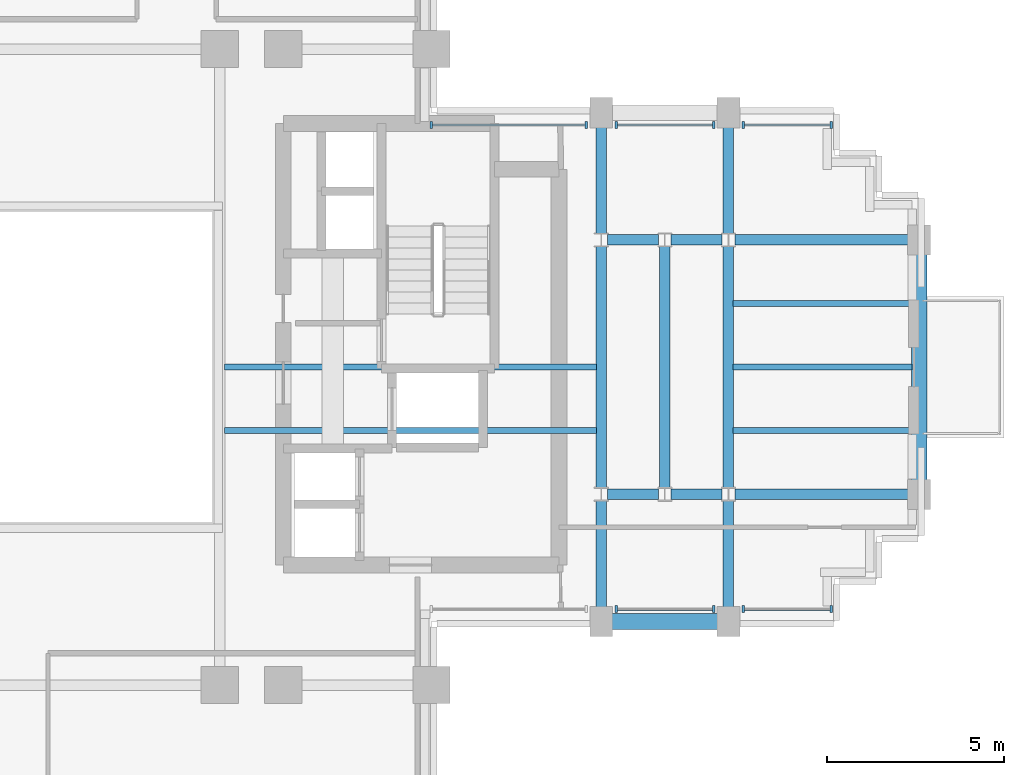
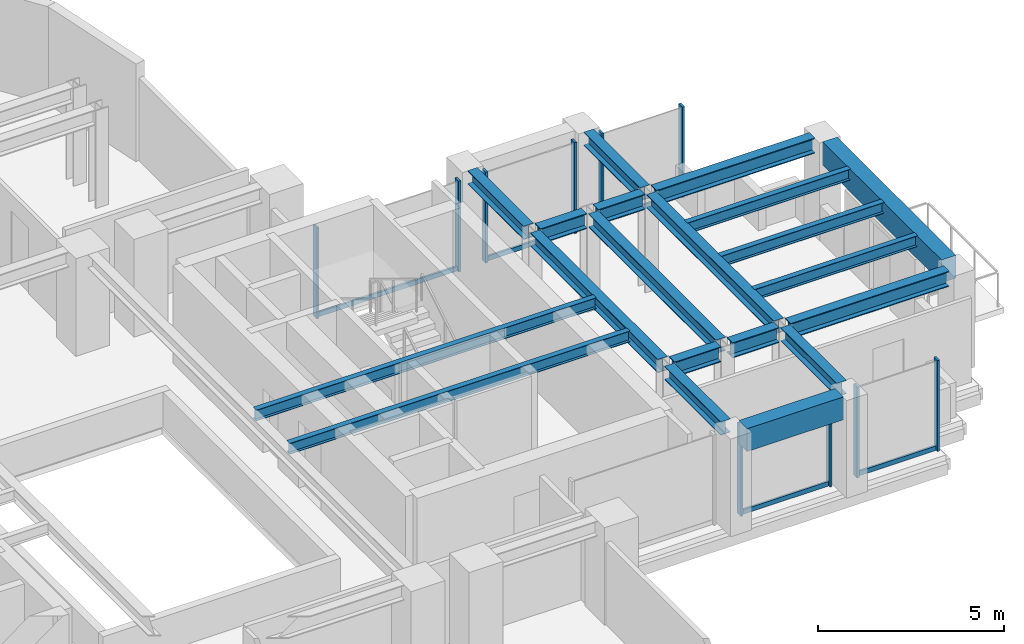
# One storey, part 5 of 13: 20 beams, 15 members, 5 elements without a shape of their own.
"""IFC4 building model written with IfcOpenShell, lengths in metres."""

from ifc_helpers import new_model, si_unit, direction, frame, origin, origin_2d, place, context, subcontext, project, spatial, rectangle, i_section, extrude, source, transform, mapped, material, material_profile, profile_set, type_object, element, aggregate, save


model = new_model("IFC4")

# Units and contexts
model_context = context("Model", 3, precision=1e-05, world=origin(), true_north=direction((0.0, 1.0)))
body_context = subcontext(model_context, "Body", "Model", "MODEL_VIEW")
ifc_project = project(units=[si_unit("LENGTHUNIT", "METRE"), si_unit("AREAUNIT", "SQUARE_METRE"), si_unit("VOLUMEUNIT", "CUBIC_METRE"), si_unit("PLANEANGLEUNIT", "RADIAN"), si_unit("MASSUNIT", "GRAM", prefix="KILO")], contexts=[model_context])

# Site, building, storey
site_placement = place(None, origin())
site = spatial("IfcSite", under=ifc_project, at=site_placement, CompositionType="ELEMENT")
building_placement = place(site_placement, origin())
building = spatial("IfcBuilding", under=site, at=building_placement, Name="Keilestroom Media Tower", CompositionType="ELEMENT")
storey_placement = place(building_placement, frame((0.0, 0.0, 104.0)))
storey = spatial("IfcBuildingStorey", under=building, at=storey_placement, Name="L27", CompositionType="ELEMENT", Elevation=104.0)

# Beams
ifc_material_1 = material(Name="Steel S355", Category="steel")
ifc_material_profile_1 = material_profile(ifc_material_1, i_section(OverallWidth=0.169921875, OverallDepth=0.360107421875, WebThickness=0.008056640625, FlangeThickness=0.0126953125, at=origin_2d()), Name="IPE 360")
ifc_profile_set_1 = profile_set([ifc_material_profile_1], Name="Steel S355")
beam_type_1 = type_object("IfcBeamType", Name="Secondary-Floor-Joist-IPE-360", PredefinedType="JOIST", material=ifc_profile_set_1)
shared_shape_1 = source(origin(), body_context, "Body", "SweptSolid", [
    extrude(i_section(OverallWidth=0.169921875, OverallDepth=0.360107421875, WebThickness=0.008056640625, FlangeThickness=0.0126953125, at=origin_2d()), origin(), (0.0, 0.0, 1.0), 10.5400390625),
])
for number, where, z_axis, x_axis, name in (
    (1, (3.72998046875, -1.800048828125, 3.02001953125), (1.0, 0.0, 0.0), (0.0, 1.0, 0.0), "L27 Beam BJ-5 JST-L27-074"),
    (2, (3.72998046875, 0.0, 3.02001953125), (1.0, 0.0, 0.0), (0.0, 1.0, 0.0), "L27 Beam BJ-5 JST-L27-079"),
):
    element("IfcBeam", number, at=place(storey_placement, frame(where, z_axis=z_axis, x_axis=x_axis)), inside=storey, type_object=beam_type_1, Name=name, PredefinedType="JOIST", context=body_context, shape_type="MappedRepresentation", body=[
        mapped(shared_shape_1, transform((0.0, 0.0, 0.0), x_axis=(1.0, 0.0, 0.0), y_axis=(0.0, 1.0, 0.0), z_axis=(0.0, 0.0, 1.0), scale=1.0)),
    ])
ifc_material_2 = material(Name="Precast concrete C40/50", Category="concrete")
ifc_material_profile_2 = material_profile(ifc_material_2, rectangle(XDim=0.449951171875, YDim=0.75, at=origin_2d()), Name="PC 450x750")
ifc_profile_set_2 = profile_set([ifc_material_profile_2], Name="Precast concrete C40/50")
beam_type_2 = type_object("IfcBeamType", Name="Perimeter-Spandrel-Beam-PC-450x750", PredefinedType="SPANDREL", material=ifc_profile_set_2)
shared_shape_2 = source(origin(), body_context, "Body", "SweptSolid", [
    extrude(rectangle(XDim=0.449951171875, YDim=0.75, at=origin_2d()), origin(), (0.0, 0.0, 1.0), 2.989990234375),
])
beam_1_placement = place(storey_placement, frame((14.705078125, -7.199951171875, 2.824951171875), z_axis=(1.0, 0.0, 0.0), x_axis=(0.0, 1.0, 0.0)))
element("IfcBeam", 3, at=beam_1_placement, inside=storey, type_object=beam_type_2, Name="L27 Beam SPB-1 BM-L27-EW-013", PredefinedType="SPANDREL", context=body_context, shape_type="MappedRepresentation", body=[
    mapped(shared_shape_2, transform((0.0, 0.0, 0.0), x_axis=(1.0, 0.0, 0.0), y_axis=(0.0, 1.0, 0.0), z_axis=(0.0, 0.0, 1.0), scale=1.0)),
])
ifc_material_profile_3 = material_profile(ifc_material_1, i_section(OverallWidth=0.300048828125, OverallDepth=0.5, WebThickness=0.012451171875, FlangeThickness=0.028076171875, at=origin_2d()), Name="HEB 500")
ifc_profile_set_3 = profile_set([ifc_material_profile_3], Name="Steel S355")
beam_type_3 = type_object("IfcBeamType", Name="Primary-Structural-Girder-HEB-500", PredefinedType="BEAM", material=ifc_profile_set_3)
shared_shape_3 = source(origin(), body_context, "Body", "SweptSolid", [
    extrude(i_section(OverallWidth=0.300048828125, OverallDepth=0.5, WebThickness=0.012451171875, FlangeThickness=0.028076171875, at=origin_2d()), origin(), (0.0, 0.0, 1.0), 4.91455078125),
])
for number, where, z_axis, x_axis, name in (
    (4, (18.180419921875, -3.60009765625, 2.949951171875), (1.0, 0.0, 0.0), (0.0, 1.0, 0.0), "L27 Beam BG-6 BM-L27-EW-019"),
    (5, (18.180419921875, 3.60009765625, 2.949951171875), (1.0, 0.0, 0.0), (0.0, 1.0, 0.0), "L27 Beam BG-6 BM-L27-EW-025"),
):
    element("IfcBeam", number, at=place(storey_placement, frame(where, z_axis=z_axis, x_axis=x_axis)), inside=storey, type_object=beam_type_3, Name=name, PredefinedType="BEAM", context=body_context, shape_type="MappedRepresentation", body=[
        mapped(shared_shape_3, transform((0.0, 0.0, 0.0), x_axis=(1.0, 0.0, 0.0), y_axis=(0.0, 1.0, 0.0), z_axis=(0.0, 0.0, 1.0), scale=1.0)),
    ])
shared_shape_4 = source(origin(), body_context, "Body", "SweptSolid", [
    extrude(i_section(OverallWidth=0.300048828125, OverallDepth=0.5, WebThickness=0.012451171875, FlangeThickness=0.028076171875, at=origin_2d()), origin(), (0.0, 0.0, 1.0), 1.43896484375),
])
for number, where, z_axis, x_axis, name in (
    (6, (14.58056640625, -3.60009765625, 2.949951171875), (1.0, 0.0, 0.0), (0.0, 1.0, 0.0), "L27 Beam BG-6 BM-L27-EW-017"),
    (7, (16.380615234375, -3.60009765625, 2.949951171875), (1.0, 0.0, 0.0), (0.0, 1.0, 0.0), "L27 Beam BG-6 BM-L27-EW-018"),
    (8, (14.58056640625, 3.60009765625, 2.949951171875), (1.0, 0.0, 0.0), (0.0, 1.0, 0.0), "L27 Beam BG-6 BM-L27-EW-023"),
    (9, (16.380615234375, 3.60009765625, 2.949951171875), (1.0, 0.0, 0.0), (0.0, 1.0, 0.0), "L27 Beam BG-6 BM-L27-EW-024"),
):
    element("IfcBeam", number, at=place(storey_placement, frame(where, z_axis=z_axis, x_axis=x_axis)), inside=storey, type_object=beam_type_3, Name=name, PredefinedType="BEAM", context=body_context, shape_type="MappedRepresentation", body=[
        mapped(shared_shape_4, transform((0.0, 0.0, 0.0), x_axis=(1.0, 0.0, 0.0), y_axis=(0.0, 1.0, 0.0), z_axis=(0.0, 0.0, 1.0), scale=1.0)),
    ])
shared_shape_5 = source(origin(), body_context, "Body", "SweptSolid", [
    extrude(rectangle(XDim=0.449951171875, YDim=0.75, at=origin_2d()), origin(), (0.0, 0.0, 1.0), 6.39013671875),
])
beam_2_placement = place(storey_placement, frame((23.39990234375, -3.195068359375, 2.824951171875), z_axis=(0.0, 1.0, 0.0), x_axis=(-1.0, 0.0, 0.0)))
element("IfcBeam", 10, at=beam_2_placement, inside=storey, type_object=beam_type_2, Name="L27 Beam SPB-1 BM-L27-NS-068", PredefinedType="SPANDREL", context=body_context, shape_type="MappedRepresentation", body=[
    mapped(shared_shape_5, transform((0.0, 0.0, 0.0), x_axis=(1.0, 0.0, 0.0), y_axis=(0.0, 1.0, 0.0), z_axis=(0.0, 0.0, 1.0), scale=1.0)),
])
shared_shape_6 = source(origin(), body_context, "Body", "SweptSolid", [
    extrude(i_section(OverallWidth=0.169921875, OverallDepth=0.360107421875, WebThickness=0.008056640625, FlangeThickness=0.0126953125, at=origin_2d()), origin(), (0.0, 0.0, 1.0), 5.065185546875),
])
for number, where, z_axis, x_axis, name in (
    (11, (18.1298828125, -1.800048828125, 3.02001953125), (1.0, 0.0, 0.0), (0.0, 1.0, 0.0), "L27 Beam BJ-5 JST-L27-075"),
    (12, (18.1298828125, 0.0, 3.02001953125), (1.0, 0.0, 0.0), (0.0, 1.0, 0.0), "L27 Beam BJ-5 JST-L27-080"),
    (13, (18.1298828125, 1.800048828125, 3.02001953125), (1.0, 0.0, 0.0), (0.0, 1.0, 0.0), "L27 Beam BJ-5 JST-L27-085"),
):
    element("IfcBeam", number, at=place(storey_placement, frame(where, z_axis=z_axis, x_axis=x_axis)), inside=storey, type_object=beam_type_1, Name=name, PredefinedType="JOIST", context=body_context, shape_type="MappedRepresentation", body=[
        mapped(shared_shape_6, transform((0.0, 0.0, 0.0), x_axis=(1.0, 0.0, 0.0), y_axis=(0.0, 1.0, 0.0), z_axis=(0.0, 0.0, 1.0), scale=1.0)),
    ])
ifc_material_profile_4 = material_profile(ifc_material_1, i_section(OverallWidth=0.300048828125, OverallDepth=0.43994140625, WebThickness=0.011474609375, FlangeThickness=0.02099609375, at=origin_2d()), Name="HEA 450")
ifc_profile_set_4 = profile_set([ifc_material_profile_4], Name="Steel S355")
beam_type_4 = type_object("IfcBeamType", Name="Primary-Structural-Girder-HEA-450", PredefinedType="BEAM", material=ifc_profile_set_4)
shared_shape_7 = source(origin(), body_context, "Body", "SweptSolid", [
    extrude(i_section(OverallWidth=0.300048828125, OverallDepth=0.43994140625, WebThickness=0.011474609375, FlangeThickness=0.02099609375, at=origin_2d()), origin(), (0.0, 0.0, 1.0), 3.015380859375),
])
for number, where, z_axis, x_axis, name in (
    (14, (14.39990234375, -6.794921875, 2.97998046875), (0.0, 1.0, 0.0), (-1.0, 0.0, 0.0), "L27 Beam BG-11 BM-L27-NS-061"),
    (15, (14.39990234375, 3.779541015625, 2.97998046875), (0.0, 1.0, 0.0), (-1.0, 0.0, 0.0), "L27 Beam BG-11 BM-L27-NS-063"),
    (16, (18.0, -6.794921875, 2.97998046875), (0.0, 1.0, 0.0), (-1.0, 0.0, 0.0), "L27 Beam BG-11 BM-L27-NS-065"),
    (17, (18.0, 3.779541015625, 2.97998046875), (0.0, 1.0, 0.0), (-1.0, 0.0, 0.0), "L27 Beam BG-11 BM-L27-NS-067"),
):
    element("IfcBeam", number, at=place(storey_placement, frame(where, z_axis=z_axis, x_axis=x_axis)), inside=storey, type_object=beam_type_4, Name=name, PredefinedType="BEAM", context=body_context, shape_type="MappedRepresentation", body=[
        mapped(shared_shape_7, transform((0.0, 0.0, 0.0), x_axis=(1.0, 0.0, 0.0), y_axis=(0.0, 1.0, 0.0), z_axis=(0.0, 0.0, 1.0), scale=1.0)),
    ])
shared_shape_8 = source(origin(), body_context, "Body", "SweptSolid", [
    extrude(i_section(OverallWidth=0.300048828125, OverallDepth=0.43994140625, WebThickness=0.011474609375, FlangeThickness=0.02099609375, at=origin_2d()), origin(), (0.0, 0.0, 1.0), 6.8408203125),
])
for number, where, z_axis, x_axis, name in (
    (18, (14.39990234375, -3.42041015625, 2.97998046875), (0.0, 1.0, 0.0), (-1.0, 0.0, 0.0), "L27 Beam BG-11 BM-L27-NS-062"),
    (19, (16.199951171875, -3.42041015625, 2.97998046875), (0.0, 1.0, 0.0), (-1.0, 0.0, 0.0), "L27 Beam BG-11 BM-L27-NS-064"),
    (20, (18.0, -3.42041015625, 2.97998046875), (0.0, 1.0, 0.0), (-1.0, 0.0, 0.0), "L27 Beam BG-11 BM-L27-NS-066"),
):
    element("IfcBeam", number, at=place(storey_placement, frame(where, z_axis=z_axis, x_axis=x_axis)), inside=storey, type_object=beam_type_4, Name=name, PredefinedType="BEAM", context=body_context, shape_type="MappedRepresentation", body=[
        mapped(shared_shape_8, transform((0.0, 0.0, 0.0), x_axis=(1.0, 0.0, 0.0), y_axis=(0.0, 1.0, 0.0), z_axis=(0.0, 0.0, 1.0), scale=1.0)),
    ])

# Curtain wall, members
ifc_material_3 = material(Name="Anodised Aluminium Alloy", Category="aluminium")
curtain_wall_type = type_object("IfcCurtainWallType", Name="Unitised-Curtain-Wall-CW-2", PredefinedType="NOTDEFINED", material=ifc_material_3)
curtain_wall_1_placement = place(storey_placement, origin())
curtain_wall_1 = element("IfcCurtainWall", 21, at=curtain_wall_1_placement, inside=storey, type_object=curtain_wall_type, Name="L27 Curtain Wall CW-2 CW-L27-NE-1", PredefinedType="NOTDEFINED")
ifc_material_profile_5 = material_profile(ifc_material_3, rectangle(XDim=0.070068359375, YDim=0.199951171875, at=origin_2d()), Name="ALU MULLION 70x200")
ifc_profile_set_5 = profile_set([ifc_material_profile_5], Name="Anodised Aluminium Alloy")
member_type_1 = type_object("IfcMemberType", Name="Curtain-Wall-Mullion-CW-2", PredefinedType="MULLION", material=ifc_profile_set_5)
shared_shape_9 = source(origin(), body_context, "Body", "SweptSolid", [
    extrude(rectangle(XDim=0.070068359375, YDim=0.199951171875, at=origin_2d()), origin(), (0.0, 0.0, 1.0), 2.97998046875),
])
member_1_placement = place(storey_placement, frame((9.5849609375, 6.85009765625, 0.0), z_axis=(0.0, 0.0, 1.0), x_axis=(1.0, 0.0, 0.0)))
member_1 = element("IfcMember", 22, at=member_1_placement, type_object=member_type_1, Name="CW-2 Mullion 00", PredefinedType="MULLION", context=body_context, shape_type="MappedRepresentation", body=[
    mapped(shared_shape_9, transform((0.0, 0.0, 0.0), x_axis=(1.0, 0.0, 0.0), y_axis=(0.0, 1.0, 0.0), z_axis=(0.0, 0.0, 1.0), scale=1.0)),
])
member_2_placement = place(storey_placement, frame((13.97998046875, 6.85009765625, 0.0), z_axis=(0.0, 0.0, 1.0), x_axis=(1.0, 0.0, 0.0)))
member_2 = element("IfcMember", 23, at=member_2_placement, type_object=member_type_1, Name="CW-2 Mullion 01", PredefinedType="MULLION", context=body_context, shape_type="MappedRepresentation", body=[
    mapped(shared_shape_9, transform((0.0, 0.0, 0.0), x_axis=(1.0, 0.0, 0.0), y_axis=(0.0, 1.0, 0.0), z_axis=(0.0, 0.0, 1.0), scale=1.0)),
])

curtain_wall_2_placement = place(storey_placement, origin())
curtain_wall_2 = element("IfcCurtainWall", 24, at=curtain_wall_2_placement, inside=storey, type_object=curtain_wall_type, Name="L27 Curtain Wall CW-2 CW-L27-NE-2", PredefinedType="NOTDEFINED")
member_3_placement = place(storey_placement, frame((14.820068359375, 6.85009765625, 0.0), z_axis=(0.0, 0.0, 1.0), x_axis=(1.0, 0.0, 0.0)))
member_3 = element("IfcMember", 25, at=member_3_placement, type_object=member_type_1, Name="CW-2 Mullion 00", PredefinedType="MULLION", context=body_context, shape_type="MappedRepresentation", body=[
    mapped(shared_shape_9, transform((0.0, 0.0, 0.0), x_axis=(1.0, 0.0, 0.0), y_axis=(0.0, 1.0, 0.0), z_axis=(0.0, 0.0, 1.0), scale=1.0)),
])
member_4_placement = place(storey_placement, frame((17.580078125, 6.85009765625, 0.0), z_axis=(0.0, 0.0, 1.0), x_axis=(1.0, 0.0, 0.0)))
member_4 = element("IfcMember", 26, at=member_4_placement, type_object=member_type_1, Name="CW-2 Mullion 01", PredefinedType="MULLION", context=body_context, shape_type="MappedRepresentation", body=[
    mapped(shared_shape_9, transform((0.0, 0.0, 0.0), x_axis=(1.0, 0.0, 0.0), y_axis=(0.0, 1.0, 0.0), z_axis=(0.0, 0.0, 1.0), scale=1.0)),
])

curtain_wall_3_placement = place(storey_placement, origin())
curtain_wall_3 = element("IfcCurtainWall", 27, at=curtain_wall_3_placement, inside=storey, type_object=curtain_wall_type, Name="L27 Curtain Wall CW-2 CW-L27-NE-3", PredefinedType="NOTDEFINED")
member_5_placement = place(storey_placement, frame((18.419921875, 6.85009765625, 0.0), z_axis=(0.0, 0.0, 1.0), x_axis=(1.0, 0.0, 0.0)))
member_5 = element("IfcMember", 28, at=member_5_placement, type_object=member_type_1, Name="CW-2 Mullion 00", PredefinedType="MULLION", context=body_context, shape_type="MappedRepresentation", body=[
    mapped(shared_shape_9, transform((0.0, 0.0, 0.0), x_axis=(1.0, 0.0, 0.0), y_axis=(0.0, 1.0, 0.0), z_axis=(0.0, 0.0, 1.0), scale=1.0)),
])
member_6_placement = place(storey_placement, frame((20.9150390625, 6.85009765625, 0.0), z_axis=(0.0, 0.0, 1.0), x_axis=(1.0, 0.0, 0.0)))
member_6 = element("IfcMember", 29, at=member_6_placement, type_object=member_type_1, Name="CW-2 Mullion 01", PredefinedType="MULLION", context=body_context, shape_type="MappedRepresentation", body=[
    mapped(shared_shape_9, transform((0.0, 0.0, 0.0), x_axis=(1.0, 0.0, 0.0), y_axis=(0.0, 1.0, 0.0), z_axis=(0.0, 0.0, 1.0), scale=1.0)),
])

curtain_wall_4_placement = place(storey_placement, origin())
curtain_wall_4 = element("IfcCurtainWall", 30, at=curtain_wall_4_placement, inside=storey, type_object=curtain_wall_type, Name="L27 Curtain Wall CW-2 CW-L27-SE-2", PredefinedType="NOTDEFINED")
member_7_placement = place(storey_placement, frame((14.820068359375, -6.85009765625, 0.0), z_axis=(0.0, 0.0, 1.0), x_axis=(1.0, 0.0, 0.0)))
member_7 = element("IfcMember", 31, at=member_7_placement, type_object=member_type_1, Name="CW-2 Mullion 00", PredefinedType="MULLION", context=body_context, shape_type="MappedRepresentation", body=[
    mapped(shared_shape_9, transform((0.0, 0.0, 0.0), x_axis=(1.0, 0.0, 0.0), y_axis=(0.0, 1.0, 0.0), z_axis=(0.0, 0.0, 1.0), scale=1.0)),
])
member_8_placement = place(storey_placement, frame((17.580078125, -6.85009765625, 0.0), z_axis=(0.0, 0.0, 1.0), x_axis=(1.0, 0.0, 0.0)))
member_8 = element("IfcMember", 32, at=member_8_placement, type_object=member_type_1, Name="CW-2 Mullion 01", PredefinedType="MULLION", context=body_context, shape_type="MappedRepresentation", body=[
    mapped(shared_shape_9, transform((0.0, 0.0, 0.0), x_axis=(1.0, 0.0, 0.0), y_axis=(0.0, 1.0, 0.0), z_axis=(0.0, 0.0, 1.0), scale=1.0)),
])

curtain_wall_5_placement = place(storey_placement, origin())
curtain_wall_5 = element("IfcCurtainWall", 33, at=curtain_wall_5_placement, inside=storey, type_object=curtain_wall_type, Name="L27 Curtain Wall CW-2 CW-L27-SE-3", PredefinedType="NOTDEFINED")
member_9_placement = place(storey_placement, frame((18.419921875, -6.85009765625, 0.0), z_axis=(0.0, 0.0, 1.0), x_axis=(1.0, 0.0, 0.0)))
member_9 = element("IfcMember", 34, at=member_9_placement, type_object=member_type_1, Name="CW-2 Mullion 00", PredefinedType="MULLION", context=body_context, shape_type="MappedRepresentation", body=[
    mapped(shared_shape_9, transform((0.0, 0.0, 0.0), x_axis=(1.0, 0.0, 0.0), y_axis=(0.0, 1.0, 0.0), z_axis=(0.0, 0.0, 1.0), scale=1.0)),
])
member_10_placement = place(storey_placement, frame((20.9150390625, -6.85009765625, 0.0), z_axis=(0.0, 0.0, 1.0), x_axis=(1.0, 0.0, 0.0)))
member_10 = element("IfcMember", 35, at=member_10_placement, type_object=member_type_1, Name="CW-2 Mullion 01", PredefinedType="MULLION", context=body_context, shape_type="MappedRepresentation", body=[
    mapped(shared_shape_9, transform((0.0, 0.0, 0.0), x_axis=(1.0, 0.0, 0.0), y_axis=(0.0, 1.0, 0.0), z_axis=(0.0, 0.0, 1.0), scale=1.0)),
])

# Member
ifc_material_profile_6 = material_profile(ifc_material_3, rectangle(XDim=0.06494140625, YDim=0.14990234375, at=origin_2d()), Name="ALU TRANSOM 65x150")
ifc_profile_set_6 = profile_set([ifc_material_profile_6], Name="Anodised Aluminium Alloy")
member_type_2 = type_object("IfcMemberType", Name="Curtain-Wall-Transom-CW-2", PredefinedType="USERDEFINED", material=ifc_profile_set_6)
shared_shape_10 = source(origin(), body_context, "Body", "SweptSolid", [
    extrude(rectangle(XDim=0.06494140625, YDim=0.14990234375, at=origin_2d()), origin(), (0.0, 0.0, 1.0), 2.42919921875),
])
member_11_placement = place(storey_placement, frame((18.452880859375, 6.85009765625, 0.074951171875), z_axis=(1.0, 0.0, 0.0), x_axis=(0.0, 1.0, 0.0)))
member_11 = element("IfcMember", 36, at=member_11_placement, type_object=member_type_2, Name="CW-2 Transom 00.1", ObjectType="TRANSOM", PredefinedType="USERDEFINED", context=body_context, shape_type="MappedRepresentation", body=[
    mapped(shared_shape_10, transform((0.0, 0.0, 0.0), x_axis=(1.0, 0.0, 0.0), y_axis=(0.0, 1.0, 0.0), z_axis=(0.0, 0.0, 1.0), scale=1.0)),
])

aggregate(curtain_wall_3, [member_5, member_6, member_11])

member_12_placement = place(storey_placement, frame((18.452880859375, -6.85009765625, 0.074951171875), z_axis=(1.0, 0.0, 0.0), x_axis=(0.0, 1.0, 0.0)))
member_12 = element("IfcMember", 37, at=member_12_placement, type_object=member_type_2, Name="CW-2 Transom 00.1", ObjectType="TRANSOM", PredefinedType="USERDEFINED", context=body_context, shape_type="MappedRepresentation", body=[
    mapped(shared_shape_10, transform((0.0, 0.0, 0.0), x_axis=(1.0, 0.0, 0.0), y_axis=(0.0, 1.0, 0.0), z_axis=(0.0, 0.0, 1.0), scale=1.0)),
])

aggregate(curtain_wall_5, [member_9, member_10, member_12])

shared_shape_11 = source(origin(), body_context, "Body", "SweptSolid", [
    extrude(rectangle(XDim=0.06494140625, YDim=0.14990234375, at=origin_2d()), origin(), (0.0, 0.0, 1.0), 2.694091796875),
])
member_13_placement = place(storey_placement, frame((14.85302734375, 6.85009765625, 0.074951171875), z_axis=(1.0, 0.0, 0.0), x_axis=(0.0, 1.0, 0.0)))
member_13 = element("IfcMember", 38, at=member_13_placement, type_object=member_type_2, Name="CW-2 Transom 00.1", ObjectType="TRANSOM", PredefinedType="USERDEFINED", context=body_context, shape_type="MappedRepresentation", body=[
    mapped(shared_shape_11, transform((0.0, 0.0, 0.0), x_axis=(1.0, 0.0, 0.0), y_axis=(0.0, 1.0, 0.0), z_axis=(0.0, 0.0, 1.0), scale=1.0)),
])

aggregate(curtain_wall_2, [member_3, member_4, member_13])

member_14_placement = place(storey_placement, frame((14.85302734375, -6.85009765625, 0.074951171875), z_axis=(1.0, 0.0, 0.0), x_axis=(0.0, 1.0, 0.0)))
member_14 = element("IfcMember", 39, at=member_14_placement, type_object=member_type_2, Name="CW-2 Transom 00.1", ObjectType="TRANSOM", PredefinedType="USERDEFINED", context=body_context, shape_type="MappedRepresentation", body=[
    mapped(shared_shape_11, transform((0.0, 0.0, 0.0), x_axis=(1.0, 0.0, 0.0), y_axis=(0.0, 1.0, 0.0), z_axis=(0.0, 0.0, 1.0), scale=1.0)),
])

aggregate(curtain_wall_4, [member_7, member_8, member_14])

shared_shape_12 = source(origin(), body_context, "Body", "SweptSolid", [
    extrude(rectangle(XDim=0.06494140625, YDim=0.14990234375, at=origin_2d()), origin(), (0.0, 0.0, 1.0), 4.3291015625),
])
member_15_placement = place(storey_placement, frame((9.617919921875, 6.85009765625, 0.074951171875), z_axis=(1.0, 0.0, 0.0), x_axis=(0.0, 1.0, 0.0)))
member_15 = element("IfcMember", 40, at=member_15_placement, type_object=member_type_2, Name="CW-2 Transom 00.1", ObjectType="TRANSOM", PredefinedType="USERDEFINED", context=body_context, shape_type="MappedRepresentation", body=[
    mapped(shared_shape_12, transform((0.0, 0.0, 0.0), x_axis=(1.0, 0.0, 0.0), y_axis=(0.0, 1.0, 0.0), z_axis=(0.0, 0.0, 1.0), scale=1.0)),
])

aggregate(curtain_wall_1, [member_1, member_2, member_15])

save(model, "model.ifc")
